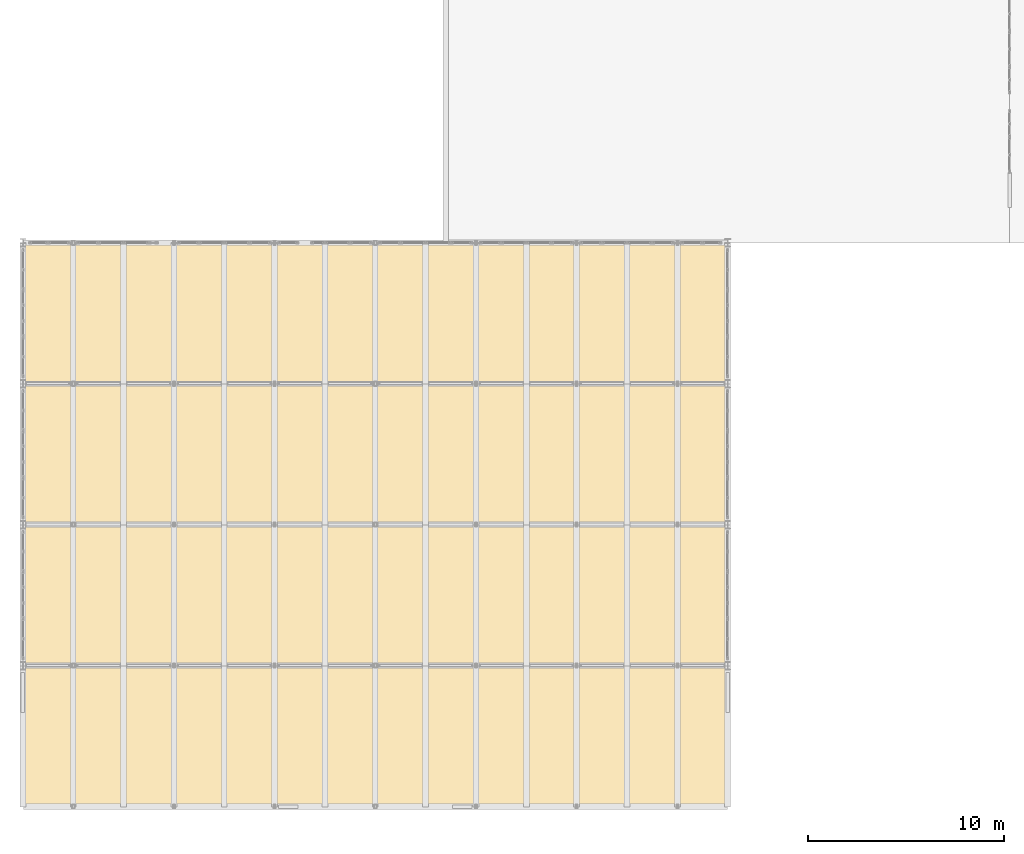
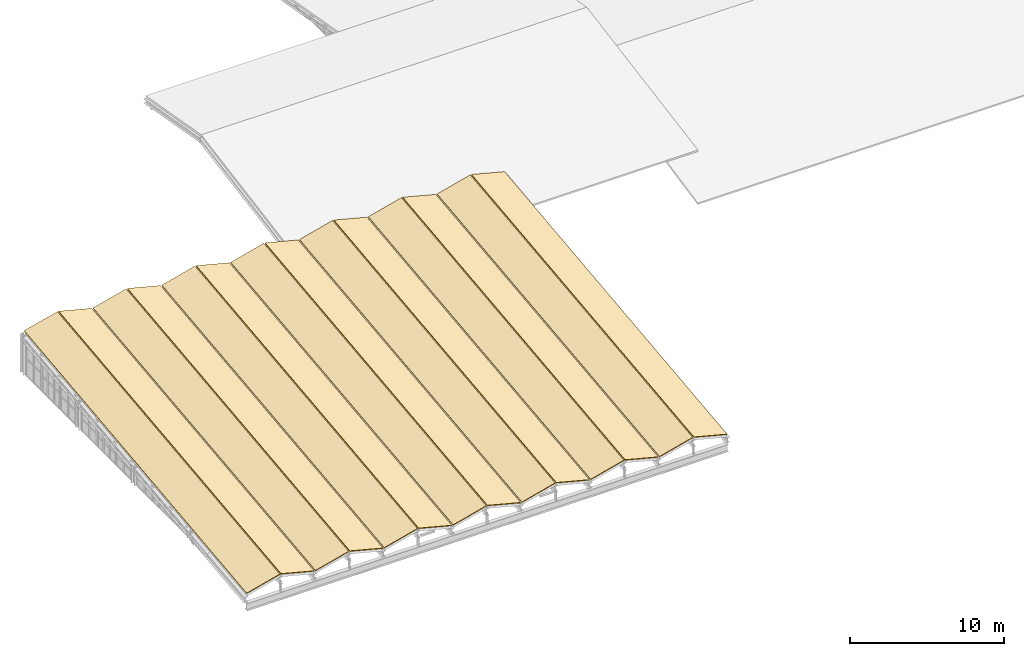
# One storey, part 39 of 39: 14 coverings.
"""IFC4 building model written with IfcOpenShell, lengths in metres."""

from ifc_helpers import new_model, si_unit, direction, frame, origin, place, context, subcontext, project, spatial, polyline, outline, extrude, material, layer, layer_set, type_object, element, save


model = new_model("IFC4")

# Units and contexts
model_context = context("Model", 3, precision=1e-05, world=origin(), true_north=direction((0.0, 1.0)))
body_context = subcontext(model_context, "Body", "Model", "MODEL_VIEW")
ifc_project = project(units=[si_unit("LENGTHUNIT", "METRE"), si_unit("AREAUNIT", "SQUARE_METRE"), si_unit("VOLUMEUNIT", "CUBIC_METRE"), si_unit("PLANEANGLEUNIT", "RADIAN"), si_unit("MASSUNIT", "GRAM", prefix="KILO"), si_unit("THERMODYNAMICTEMPERATUREUNIT", "KELVIN"), si_unit("POWERUNIT", "WATT")], contexts=[model_context])

# Site, building, storey
site_placement = place(None, origin())
site = spatial("IfcSite", under=ifc_project, at=site_placement, CompositionType="ELEMENT")
building_placement = place(site_placement, origin())
building = spatial("IfcBuilding", under=site, at=building_placement, Name="Kaldorven Railside Theatre", CompositionType="ELEMENT")
storey_placement = place(building_placement, frame((0.0, 0.0, 27.300048828125)))
storey = spatial("IfcBuildingStorey", under=building, at=storey_placement, Name="ROOF", CompositionType="ELEMENT", Elevation=27.300048828125)

# Coverings
ifc_material = material(Name="Standing-seam aluminium roofing", Category="aluminium")
ifc_layer = layer(ifc_material, 0.06005859375, Name="Standing-seam aluminium roofing")
ifc_layer_set = layer_set([ifc_layer], Name="Standing-seam aluminium roofing")
covering_type = type_object("IfcCoveringType", Name="COV-RFG-01", PredefinedType="ROOFING", material=ifc_layer_set)
covering_1_placement = place(storey_placement, frame((87.248046875, 84.0, 0.0703125), z_axis=(-0.248860705626, -0.109598159904, 0.962318342619), x_axis=(0.968150503278, 0.0, 0.25036893378)))
element("IfcCovering", 1, at=covering_1_placement, inside=storey, type_object=covering_type, Name="Fly-Tower Crown Standing-Seam Roofing RFG-15", PredefinedType="ROOFING", context=body_context, shape_type="SweptSolid", body=[
    extrude(outline(polyline([(0.0, 0.0), (2.556773754177004, -1.3877787807814457e-17), (3.3779911920027814, 28.97459243217328), (0.8212174378257773, 28.97459243217328), (0.0, 0.0)])), origin(), (0.0, 0.0, -1.0), 0.06005859375),
])
covering_2_placement = place(storey_placement, frame((89.8193359375, 84.0, 0.71044921875), z_axis=(0.248837682896, -0.109598829265, 0.962324219894), x_axis=(0.968156488061, 0.0, -0.250345790108)))
element("IfcCovering", 2, at=covering_2_placement, inside=storey, type_object=covering_type, Name="Fly-Tower Crown Standing-Seam Roofing RFG-16", PredefinedType="ROOFING", context=body_context, shape_type="SweptSolid", body=[
    extrude(outline(polyline([(0.0, 0.0), (2.557010119776567, 0.0), (1.7358685938725147, 28.97459458362064), (-0.8211415259040519, 28.974594583620643), (0.0, 0.0)])), origin(), (0.0, 0.0, -1.0), 0.06005859375),
])
covering_3_placement = place(storey_placement, frame((92.390869140625, 84.0, 0.0703125), z_axis=(-0.248860705626, -0.109598159904, 0.962318342619), x_axis=(0.968150503278, 0.0, 0.25036893378)))
element("IfcCovering", 3, at=covering_3_placement, inside=storey, type_object=covering_type, Name="Fly-Tower Crown Standing-Seam Roofing RFG-17", PredefinedType="ROOFING", context=body_context, shape_type="SweptSolid", body=[
    extrude(outline(polyline([(0.0, 0.0), (2.556773754177004, -1.3877787807814457e-17), (3.3779911920027814, 28.97459243217328), (0.8212174378257773, 28.97459243217328), (0.0, 0.0)])), origin(), (0.0, 0.0, -1.0), 0.06005859375),
])
covering_4_placement = place(storey_placement, frame((94.96240234375, 84.0, 0.71044921875), z_axis=(0.248860705626, -0.109598159904, 0.962318342619), x_axis=(0.968150503278, 0.0, -0.25036893378)))
element("IfcCovering", 4, at=covering_4_placement, inside=storey, type_object=covering_type, Name="Fly-Tower Crown Standing-Seam Roofing RFG-18", PredefinedType="ROOFING", context=body_context, shape_type="SweptSolid", body=[
    extrude(outline(polyline([(0.0, 0.0), (2.556773754177004, 1.3877787807814457e-17), (1.7355563163512269, 28.974592432173278), (-0.8212174378257773, 28.97459243217328), (0.0, 0.0)])), origin(), (0.0, 0.0, -1.0), 0.06005859375),
])
covering_5_placement = place(storey_placement, frame((97.53369140625, 84.0, 0.0703125), z_axis=(-0.248860705626, -0.109598159904, 0.962318342619), x_axis=(0.968150503278, 0.0, 0.25036893378)))
element("IfcCovering", 5, at=covering_5_placement, inside=storey, type_object=covering_type, Name="Fly-Tower Crown Standing-Seam Roofing RFG-19", PredefinedType="ROOFING", context=body_context, shape_type="SweptSolid", body=[
    extrude(outline(polyline([(0.0, 0.0), (2.556773754177004, -1.3877787807814457e-17), (3.3779911920027814, 28.97459243217328), (0.8212174378257773, 28.97459243217328), (0.0, 0.0)])), origin(), (0.0, 0.0, -1.0), 0.06005859375),
])
covering_6_placement = place(storey_placement, frame((100.10498046875, 84.0, 0.71044921875), z_axis=(0.248837682896, -0.109598829265, 0.962324219894), x_axis=(0.968156488061, 0.0, -0.250345790108)))
element("IfcCovering", 6, at=covering_6_placement, inside=storey, type_object=covering_type, Name="Fly-Tower Crown Standing-Seam Roofing RFG-20", PredefinedType="ROOFING", context=body_context, shape_type="SweptSolid", body=[
    extrude(outline(polyline([(0.0, 0.0), (2.557010119776567, 0.0), (1.7358685938725147, 28.97459458362064), (-0.8211415259040519, 28.974594583620643), (0.0, 0.0)])), origin(), (0.0, 0.0, -1.0), 0.06005859375),
])
covering_7_placement = place(storey_placement, frame((102.676513671875, 84.0, 0.0703125), z_axis=(-0.248837682896, -0.109598829265, 0.962324219894), x_axis=(0.968156488061, 0.0, 0.250345790108)))
element("IfcCovering", 7, at=covering_7_placement, inside=storey, type_object=covering_type, Name="Fly-Tower Crown Standing-Seam Roofing RFG-21", PredefinedType="ROOFING", context=body_context, shape_type="SweptSolid", body=[
    extrude(outline(polyline([(0.0, 0.0), (2.557010119776567, 0.0), (3.3781516456806187, 28.974594583620643), (0.8211415259040519, 28.974594583620643), (0.0, 0.0)])), origin(), (0.0, 0.0, -1.0), 0.06005859375),
])
covering_8_placement = place(storey_placement, frame((105.248046875, 84.0, 0.71044921875), z_axis=(0.248860705626, -0.109598159904, 0.962318342619), x_axis=(0.968150503278, 0.0, -0.25036893378)))
element("IfcCovering", 8, at=covering_8_placement, inside=storey, type_object=covering_type, Name="Fly-Tower Crown Standing-Seam Roofing RFG-22", PredefinedType="ROOFING", context=body_context, shape_type="SweptSolid", body=[
    extrude(outline(polyline([(0.0, 0.0), (2.556773754177004, 1.3877787807814457e-17), (1.7355563163512269, 28.974592432173278), (-0.8212174378257773, 28.97459243217328), (0.0, 0.0)])), origin(), (0.0, 0.0, -1.0), 0.06005859375),
])
covering_9_placement = place(storey_placement, frame((107.8193359375, 84.0, 0.0703125), z_axis=(-0.248837682896, -0.109598829265, 0.962324219894), x_axis=(0.968156488061, 0.0, 0.250345790108)))
element("IfcCovering", 9, at=covering_9_placement, inside=storey, type_object=covering_type, Name="Fly-Tower Crown Standing-Seam Roofing RFG-23", PredefinedType="ROOFING", context=body_context, shape_type="SweptSolid", body=[
    extrude(outline(polyline([(0.0, 0.0), (2.557010119776567, 0.0), (3.3781516456806187, 28.974594583620643), (0.8211415259040519, 28.974594583620643), (0.0, 0.0)])), origin(), (0.0, 0.0, -1.0), 0.06005859375),
])
covering_10_placement = place(storey_placement, frame((110.390869140625, 84.0, 0.71044921875), z_axis=(0.248860705626, -0.109598159904, 0.962318342619), x_axis=(0.968150503278, 0.0, -0.25036893378)))
element("IfcCovering", 10, at=covering_10_placement, inside=storey, type_object=covering_type, Name="Fly-Tower Crown Standing-Seam Roofing RFG-24", PredefinedType="ROOFING", context=body_context, shape_type="SweptSolid", body=[
    extrude(outline(polyline([(0.0, 0.0), (2.556773754177004, 1.3877787807814457e-17), (1.7355563163512269, 28.974592432173278), (-0.8212174378257773, 28.97459243217328), (0.0, 0.0)])), origin(), (0.0, 0.0, -1.0), 0.06005859375),
])
covering_11_placement = place(storey_placement, frame((112.96240234375, 84.0, 0.0703125), z_axis=(-0.248860705626, -0.109598159904, 0.962318342619), x_axis=(0.968150503278, 0.0, 0.25036893378)))
element("IfcCovering", 11, at=covering_11_placement, inside=storey, type_object=covering_type, Name="Fly-Tower Crown Standing-Seam Roofing RFG-25", PredefinedType="ROOFING", context=body_context, shape_type="SweptSolid", body=[
    extrude(outline(polyline([(0.0, 0.0), (2.556773754177004, -1.3877787807814457e-17), (3.3779911920027814, 28.97459243217328), (0.8212174378257773, 28.97459243217328), (0.0, 0.0)])), origin(), (0.0, 0.0, -1.0), 0.06005859375),
])
covering_12_placement = place(storey_placement, frame((115.53369140625, 84.0, 0.71044921875), z_axis=(0.248837682896, -0.109598829265, 0.962324219894), x_axis=(0.968156488061, 0.0, -0.250345790108)))
element("IfcCovering", 12, at=covering_12_placement, inside=storey, type_object=covering_type, Name="Fly-Tower Crown Standing-Seam Roofing RFG-26", PredefinedType="ROOFING", context=body_context, shape_type="SweptSolid", body=[
    extrude(outline(polyline([(0.0, 0.0), (2.557010119776567, 0.0), (1.7358685938725147, 28.97459458362064), (-0.8211415259040519, 28.974594583620643), (0.0, 0.0)])), origin(), (0.0, 0.0, -1.0), 0.06005859375),
])
covering_13_placement = place(storey_placement, frame((118.10498046875, 84.0, 0.0703125), z_axis=(-0.248837682896, -0.109598829265, 0.962324219894), x_axis=(0.968156488061, 0.0, 0.250345790108)))
element("IfcCovering", 13, at=covering_13_placement, inside=storey, type_object=covering_type, Name="Fly-Tower Crown Standing-Seam Roofing RFG-27", PredefinedType="ROOFING", context=body_context, shape_type="SweptSolid", body=[
    extrude(outline(polyline([(0.0, 0.0), (2.557010119776567, 0.0), (3.3781516456806187, 28.974594583620643), (0.8211415259040519, 28.974594583620643), (0.0, 0.0)])), origin(), (0.0, 0.0, -1.0), 0.06005859375),
])
covering_14_placement = place(storey_placement, frame((120.676513671875, 84.0, 0.71044921875), z_axis=(0.248837682896, -0.109598829265, 0.962324219894), x_axis=(0.968156488061, 0.0, -0.250345790108)))
element("IfcCovering", 14, at=covering_14_placement, inside=storey, type_object=covering_type, Name="Fly-Tower Crown Standing-Seam Roofing RFG-28", PredefinedType="ROOFING", context=body_context, shape_type="SweptSolid", body=[
    extrude(outline(polyline([(0.0, 0.0), (2.557010119776567, 0.0), (1.7358685938725147, 28.97459458362064), (-0.8211415259040519, 28.974594583620643), (0.0, 0.0)])), origin(), (0.0, 0.0, -1.0), 0.06005859375),
])

save(model, "model.ifc")
